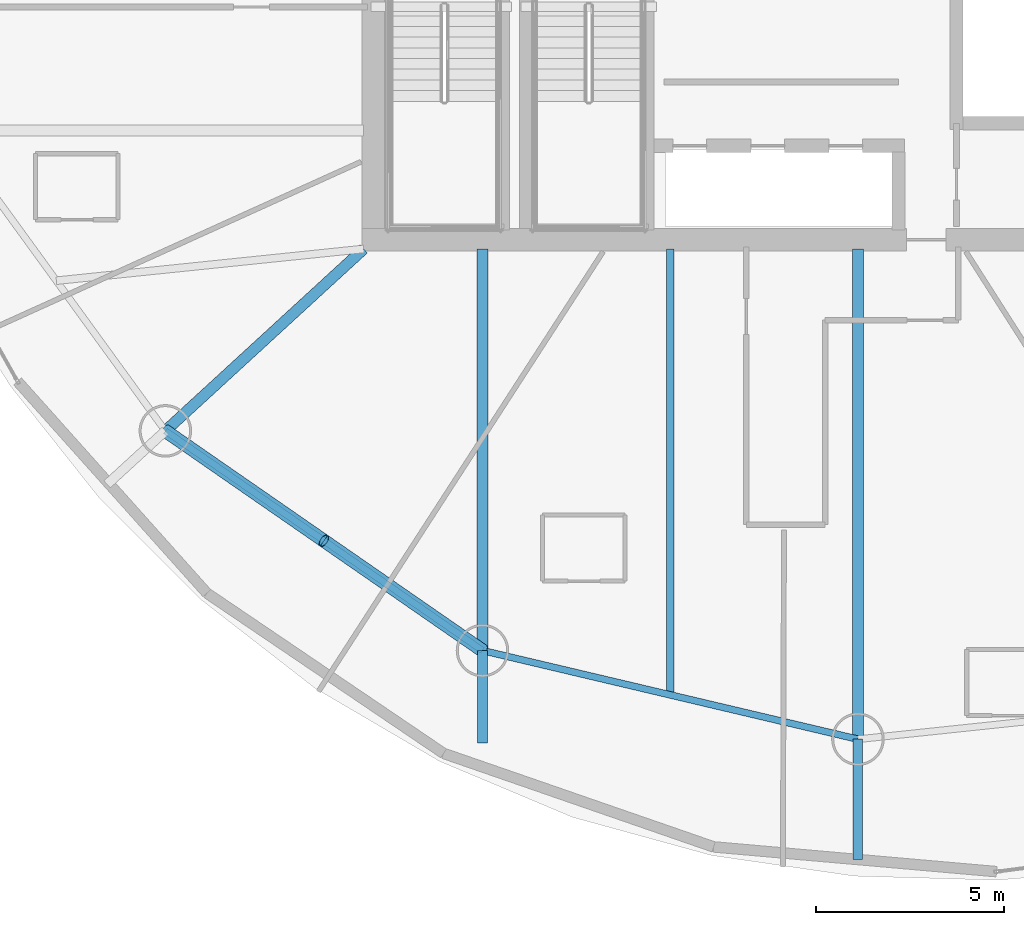
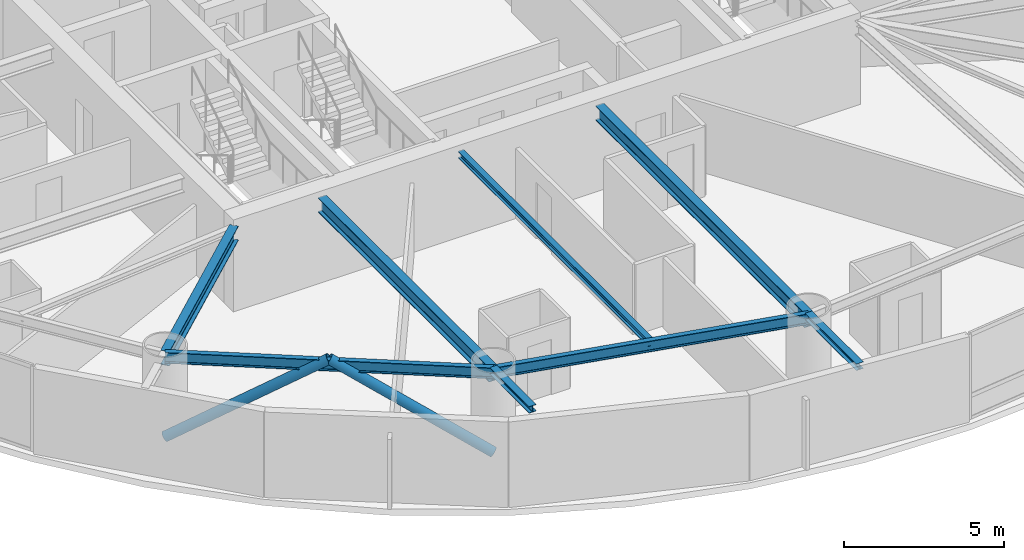
# One storey, part 3 of 22: 8 beams, 2 members.
"""IFC4 building model written with IfcOpenShell, lengths in metres."""

from ifc_helpers import new_model, si_unit, direction, frame, origin, origin_2d, place, context, subcontext, project, spatial, hollow_circle, i_section, extrude, material, material_profile, profile_set, type_object, element, save


model = new_model("IFC4")

# Units and contexts
model_context = context("Model", 3, precision=1e-05, world=origin(), true_north=direction((0.0, 1.0)))
body_context = subcontext(model_context, "Body", "Model", "MODEL_VIEW")
ifc_project = project(units=[si_unit("LENGTHUNIT", "METRE"), si_unit("AREAUNIT", "SQUARE_METRE"), si_unit("VOLUMEUNIT", "CUBIC_METRE"), si_unit("PLANEANGLEUNIT", "RADIAN"), si_unit("MASSUNIT", "GRAM", prefix="KILO")], contexts=[model_context])

# Site, building, storey
site_placement = place(None, origin())
site = spatial("IfcSite", under=ifc_project, at=site_placement, CompositionType="ELEMENT")
building_placement = place(site_placement, origin())
building = spatial("IfcBuilding", under=site, at=building_placement, Name="Bramvorn Convention Spire", CompositionType="ELEMENT")
storey_placement = place(building_placement, frame((0.0, 0.0, 137.800048828125)))
storey = spatial("IfcBuildingStorey", under=building, at=storey_placement, Name="L34", CompositionType="ELEMENT", Elevation=137.800048828125)

# Beams
ifc_material = material(Name="Steel CSA G40.21 Grade 350 (350W)", Category="steel")
ifc_material_profile_1 = material_profile(ifc_material, i_section(OverallWidth=0.201904296875, OverallDepth=0.2470703125, WebThickness=0.00732421875, FlangeThickness=0.010986328125, FilletRadius=0.011962890625, at=origin_2d()))
ifc_profile_set_1 = profile_set([ifc_material_profile_1], Name="Steel CSA G40.21 Grade 350 (350W) - W250X49")
beam_type_1 = type_object("IfcBeamType", Name="BM-W250X49", PredefinedType="JOIST", material=ifc_profile_set_1)
beam_1_placement = place(storey_placement, frame((34.920654296875, 18.550048828125, 3.136474609375), z_axis=(0.0, -1.0, 0.0), x_axis=(1.0, 0.0, 0.0)))
element("IfcBeam", 1, at=beam_1_placement, inside=storey, type_object=beam_type_1, Name="L34 composite floor joist 13", PredefinedType="JOIST", context=body_context, shape_type="SweptSolid", body=[
    extrude(i_section(OverallWidth=0.201904296875, OverallDepth=0.2470703125, WebThickness=0.00732421875, FlangeThickness=0.010986328125, FilletRadius=0.011962890625, at=origin_2d()), origin(), (0.0, 0.0, 1.0), 11.8857421875),
])
ifc_material_profile_2 = material_profile(ifc_material, i_section(OverallWidth=0.25390625, OverallDepth=0.2529296875, WebThickness=0.008544921875, FlangeThickness=0.01416015625, FilletRadius=0.011962890625, at=origin_2d()))
ifc_profile_set_2 = profile_set([ifc_material_profile_2], Name="Steel CSA G40.21 Grade 350 (350W) - W250X73")
beam_type_2 = type_object("IfcBeamType", Name="BM-W250X73", PredefinedType="BEAM", material=ifc_profile_set_2)
beam_2_placement = place(storey_placement, frame((29.917236328125, 7.845947265625, 3.133544921875), z_axis=(0.0, -1.0, 0.0), x_axis=(1.0, 0.0, 0.0)))
element("IfcBeam", 2, at=beam_2_placement, inside=storey, type_object=beam_type_2, Name="L34 slab-edge cantilever tip beam MC13", PredefinedType="BEAM", context=body_context, shape_type="SweptSolid", body=[
    extrude(i_section(OverallWidth=0.25390625, OverallDepth=0.2529296875, WebThickness=0.008544921875, FlangeThickness=0.01416015625, FilletRadius=0.011962890625, at=origin_2d()), origin(), (0.0, 0.0, 1.0), 2.46142578125),
])
beam_3_placement = place(storey_placement, frame((39.924072265625, 5.482666015625, 3.133544921875), z_axis=(0.0, -1.0, 0.0), x_axis=(1.0, 0.0, 0.0)))
element("IfcBeam", 3, at=beam_3_placement, inside=storey, type_object=beam_type_2, Name="L34 slab-edge cantilever tip beam MC14", PredefinedType="BEAM", context=body_context, shape_type="SweptSolid", body=[
    extrude(i_section(OverallWidth=0.25390625, OverallDepth=0.2529296875, WebThickness=0.008544921875, FlangeThickness=0.01416015625, FilletRadius=0.011962890625, at=origin_2d()), origin(), (0.0, 0.0, 1.0), 3.199951171875),
])
ifc_material_profile_3 = material_profile(ifc_material, i_section(OverallWidth=0.180908203125, OverallDepth=0.4169921875, WebThickness=0.010986328125, FlangeThickness=0.018310546875, FilletRadius=0.01611328125, at=origin_2d()))
ifc_profile_set_3 = profile_set([ifc_material_profile_3], Name="Steel CSA G40.21 Grade 350 (350W) - W410X85")
beam_type_3 = type_object("IfcBeamType", Name="BM-W410X85", PredefinedType="JOIST", material=ifc_profile_set_3)
beam_4_placement = place(storey_placement, frame((21.465087890625, 13.700927734375, 3.051513671875), z_axis=(0.822033166673, -0.569439613032, 0.0), x_axis=(0.569439613032, 0.822033166673, 0.0)))
element("IfcBeam", 4, at=beam_4_placement, inside=storey, type_object=beam_type_3, Name="L34 mega-column ring beam 12", PredefinedType="JOIST", context=body_context, shape_type="SweptSolid", body=[
    extrude(i_section(OverallWidth=0.180908203125, OverallDepth=0.4169921875, WebThickness=0.010986328125, FlangeThickness=0.018310546875, FilletRadius=0.01611328125, at=origin_2d()), origin(), (0.0, 0.0, 1.0), 10.281982421875),
])
beam_5_placement = place(storey_placement, frame((29.917236328125, 7.845947265625, 3.051513671875), z_axis=(0.97322750491, -0.229843911572, 0.0), x_axis=(0.229843911572, 0.97322750491, 0.0)))
element("IfcBeam", 5, at=beam_5_placement, inside=storey, type_object=beam_type_3, Name="L34 mega-column ring beam 13", PredefinedType="JOIST", context=body_context, shape_type="SweptSolid", body=[
    extrude(i_section(OverallWidth=0.180908203125, OverallDepth=0.4169921875, WebThickness=0.010986328125, FlangeThickness=0.018310546875, FilletRadius=0.01611328125, at=origin_2d()), origin(), (0.0, 0.0, 1.0), 10.2822265625),
])
ifc_material_profile_4 = material_profile(ifc_material, i_section(OverallWidth=0.2919921875, OverallDepth=0.551025390625, WebThickness=0.01513671875, FlangeThickness=0.0244140625, FilletRadius=0.01904296875, at=origin_2d()))
ifc_profile_set_4 = profile_set([ifc_material_profile_4], Name="Steel CSA G40.21 Grade 350 (350W) - W530X182")
beam_type_4 = type_object("IfcBeamType", Name="BM-W530X182", PredefinedType="BEAM", material=ifc_profile_set_4)
beam_6_placement = place(storey_placement, frame((26.75, 18.550048828125, 2.984375), z_axis=(-0.736833323746, -0.676074443399, 0.0), x_axis=(0.676074443399, -0.736833323746, 0.0)))
element("IfcBeam", 6, at=beam_6_placement, inside=storey, type_object=beam_type_4, Name="L34 radial floor girder MC12", PredefinedType="BEAM", context=body_context, shape_type="SweptSolid", body=[
    extrude(i_section(OverallWidth=0.2919921875, OverallDepth=0.551025390625, WebThickness=0.01513671875, FlangeThickness=0.0244140625, FilletRadius=0.01904296875, at=origin_2d()), origin(), (0.0, 0.0, 1.0), 7.17236328125),
])
beam_7_placement = place(storey_placement, frame((29.917236328125, 18.550048828125, 2.984375), z_axis=(0.0, -1.0, 0.0), x_axis=(1.0, 0.0, 0.0)))
element("IfcBeam", 7, at=beam_7_placement, inside=storey, type_object=beam_type_4, Name="L34 radial floor girder MC13", PredefinedType="BEAM", context=body_context, shape_type="SweptSolid", body=[
    extrude(i_section(OverallWidth=0.2919921875, OverallDepth=0.551025390625, WebThickness=0.01513671875, FlangeThickness=0.0244140625, FilletRadius=0.01904296875, at=origin_2d()), origin(), (0.0, 0.0, 1.0), 10.7041015625),
])
beam_8_placement = place(storey_placement, frame((39.924072265625, 18.550048828125, 2.984375), z_axis=(0.0, -1.0, 0.0), x_axis=(1.0, 0.0, 0.0)))
element("IfcBeam", 8, at=beam_8_placement, inside=storey, type_object=beam_type_4, Name="L34 radial floor girder MC14", PredefinedType="BEAM", context=body_context, shape_type="SweptSolid", body=[
    extrude(i_section(OverallWidth=0.2919921875, OverallDepth=0.551025390625, WebThickness=0.01513671875, FlangeThickness=0.0244140625, FilletRadius=0.01904296875, at=origin_2d()), origin(), (0.0, 0.0, 1.0), 13.0673828125),
])

# Members
ifc_material_profile_5 = material_profile(ifc_material, hollow_circle(Radius=0.177734375, WallThickness=0.015869140625, at=origin_2d()))
ifc_profile_set_5 = profile_set([ifc_material_profile_5], Name="Steel CSA G40.21 Grade 350 (350W) - CHS356X16")
member_type = type_object("IfcMemberType", Name="MBR-CHS356X16", PredefinedType="BRACE", material=ifc_profile_set_5)
for number, where, z_axis, x_axis, name in (
    (9, (21.465087890625, 13.700927734375, 0.0), (0.694222482493, -0.480902471841, 0.535525869944), (0.569439613032, 0.822033166673, 0.0), "L34 perimeter Gothic lancet brace 12A"),
    (10, (29.917236328125, 7.845947265625, 0.0), (-0.694222482493, 0.480902471841, 0.535525869944), (-0.569439613032, -0.822033166673, 0.0), "L34 perimeter Gothic lancet brace 12B"),
):
    element("IfcMember", number, at=place(storey_placement, frame(where, z_axis=z_axis, x_axis=x_axis)), inside=storey, type_object=member_type, Name=name, PredefinedType="BRACE", context=body_context, shape_type="SweptSolid", body=[
        extrude(hollow_circle(Radius=0.177734375, WallThickness=0.015869140625, at=origin_2d()), origin(), (0.0, 0.0, 1.0), 6.08740234375),
    ])

save(model, "model.ifc")
